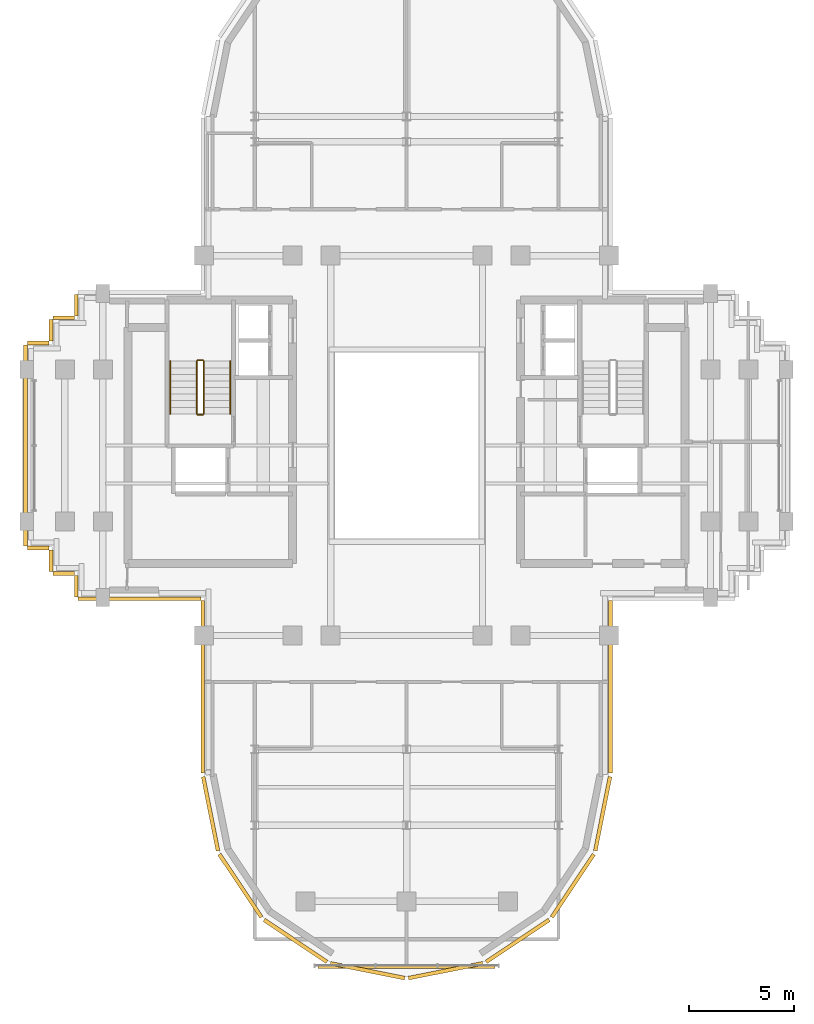
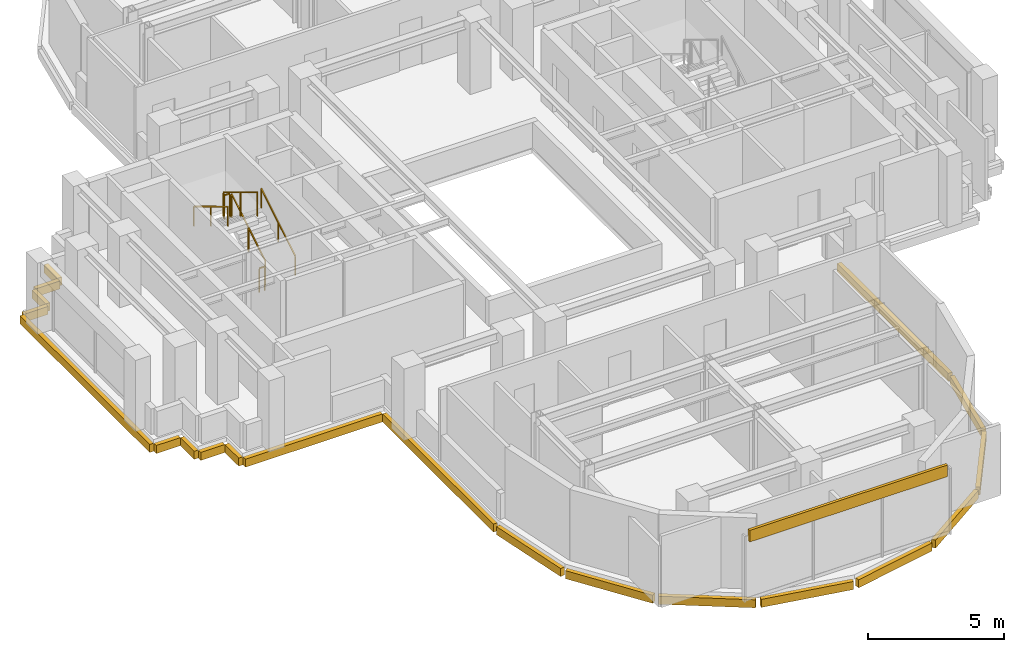
# One storey, part 9 of 11: 21 coverings, 6 railings.
"""IFC4 building model written with IfcOpenShell, lengths in metres."""

from ifc_helpers import new_model, si_unit, direction, frame, origin, origin_2d, place, context, subcontext, project, spatial, rectangle, extrude, source, transform, mapped, material, layer, layer_set, type_object, element, save


model = new_model("IFC4")

# Units and contexts
model_context = context("Model", 3, precision=1e-05, world=origin(), true_north=direction((0.0, 1.0)))
body_context = subcontext(model_context, "Body", "Model", "MODEL_VIEW")
ifc_project = project(units=[si_unit("LENGTHUNIT", "METRE"), si_unit("AREAUNIT", "SQUARE_METRE"), si_unit("VOLUMEUNIT", "CUBIC_METRE"), si_unit("PLANEANGLEUNIT", "RADIAN"), si_unit("MASSUNIT", "GRAM", prefix="KILO")], contexts=[model_context])

# Site, building, storey
site_placement = place(None, origin())
site = spatial("IfcSite", under=ifc_project, at=site_placement, CompositionType="ELEMENT")
building_placement = place(site_placement, origin())
building = spatial("IfcBuilding", under=site, at=building_placement, Name="Keilestroom Media Tower", CompositionType="ELEMENT")
storey_placement = place(building_placement, frame((0.0, 0.0, 201.199951171875)))
storey = spatial("IfcBuildingStorey", under=building, at=storey_placement, Name="L55", CompositionType="ELEMENT", Elevation=201.199951171875)

# Railings
ifc_material_1 = material(Name="Brushed Stainless Steel 1.4301", Category="steel")
railing_type_1 = type_object("IfcRailingType", Name="Stair-Pitch-Handrail-920", PredefinedType="HANDRAIL", material=ifc_material_1)
railing_1_placement = place(storey_placement, frame((-8.35009765625, 1.5, 0.18896484375)))
element("IfcRailing", 1, at=railing_1_placement, inside=storey, type_object=railing_type_1, Name="L55 ST-1 stair handrail 1", PredefinedType="HANDRAIL", context=body_context, shape_type="SweptSolid", body=[
    extrude(rectangle(XDim=0.048095703125, YDim=0.048095703125, at=origin_2d()), frame((0.0, 0.0, 0.8759765625), z_axis=(0.0, 0.855470815493, 0.517851024754), x_axis=(-1.0, 0.0, 0.0)), (0.0, 0.0, 1.0), 2.917724609375),
    extrude(rectangle(XDim=0.0419921875, YDim=0.0419921875, at=origin_2d()), origin(), (0.0, 0.0, 1.0), 0.84375),
    extrude(rectangle(XDim=0.0419921875, YDim=0.0419921875, at=origin_2d()), frame((0.0, 1.248046875, 0.75537109375)), (0.0, 0.0, 1.0), 0.84375),
    extrude(rectangle(XDim=0.0419921875, YDim=0.0419921875, at=origin_2d()), frame((0.0, 2.49609375, 1.510986328125)), (0.0, 0.0, 1.0), 0.84375),
])
railing_2_placement = place(storey_placement, frame((-11.2099609375, 3.99609375, 1.888916015625)))
element("IfcRailing", 2, at=railing_2_placement, inside=storey, type_object=railing_type_1, Name="L55 ST-1 stair handrail 2", PredefinedType="HANDRAIL", context=body_context, shape_type="SweptSolid", body=[
    extrude(rectangle(XDim=0.048095703125, YDim=0.048095703125, at=origin_2d()), frame((0.0, 0.0, 0.8759765625), z_axis=(0.0, -0.855433747314, 0.517912255074), x_axis=(1.0, 0.0, 0.0)), (0.0, 0.0, 1.0), 2.91796875),
    extrude(rectangle(XDim=0.0419921875, YDim=0.0419921875, at=origin_2d()), origin(), (0.0, 0.0, 1.0), 0.84375),
    extrude(rectangle(XDim=0.0419921875, YDim=0.0419921875, at=origin_2d()), frame((0.0, -1.248046875, 0.755615234375)), (0.0, 0.0, 1.0), 0.84375),
    extrude(rectangle(XDim=0.0419921875, YDim=0.0419921875, at=origin_2d()), frame((0.0, -2.49609375, 1.51123046875)), (0.0, 0.0, 1.0), 0.84375),
])
ifc_material_2 = material(Name="Painted Steel Balustrade", Category="steel")
railing_type_2 = type_object("IfcRailingType", Name="Stair-Well-And-Landing-Guard-1100", PredefinedType="GUARDRAIL", material=ifc_material_2)
railing_3_placement = place(storey_placement, frame((-9.610107421875, 1.5, 0.18896484375)))
element("IfcRailing", 3, at=railing_3_placement, inside=storey, type_object=railing_type_2, Name="L55 ST-1 stair guard 1", PredefinedType="GUARDRAIL", context=body_context, shape_type="SweptSolid", body=[
    extrude(rectangle(XDim=0.048095703125, YDim=0.048095703125, at=origin_2d()), frame((0.0, 0.0, 1.076171875), z_axis=(0.0, 0.855470815493, 0.517851024754), x_axis=(-1.0, 0.0, 0.0)), (0.0, 0.0, 1.0), 2.917724609375),
    extrude(rectangle(XDim=0.0419921875, YDim=0.0419921875, at=origin_2d()), origin(), (0.0, 0.0, 1.0), 1.0439453125),
    extrude(rectangle(XDim=0.0419921875, YDim=0.0419921875, at=origin_2d()), frame((0.0, 1.248046875, 0.75537109375)), (0.0, 0.0, 1.0), 1.0439453125),
    extrude(rectangle(XDim=0.0419921875, YDim=0.0419921875, at=origin_2d()), frame((0.0, 2.49609375, 1.510986328125)), (0.0, 0.0, 1.0), 1.0439453125),
])
railing_4_placement = place(storey_placement, frame((-9.659912109375, 4.0458984375, 1.699951171875)))
element("IfcRailing", 4, at=railing_4_placement, inside=storey, type_object=railing_type_2, Name="L55 ST-1 stair guard 2", PredefinedType="GUARDRAIL", context=body_context, shape_type="SweptSolid", body=[
    extrude(rectangle(XDim=0.048095703125, YDim=0.048095703125, at=origin_2d()), frame((0.0, 0.0, 1.076171875), z_axis=(-1.0, 0.0, 0.0), x_axis=(0.0, -1.0, 0.0)), (0.0, 0.0, 1.0), 0.239990234375),
    extrude(rectangle(XDim=0.0419921875, YDim=0.0419921875, at=origin_2d()), origin(), (0.0, 0.0, 1.0), 1.0439453125),
    extrude(rectangle(XDim=0.0419921875, YDim=0.0419921875, at=origin_2d()), frame((-0.239990234375, 0.0, 0.0)), (0.0, 0.0, 1.0), 1.0439453125),
])
railing_5_placement = place(storey_placement, frame((-9.949951171875, 3.99609375, 1.888916015625)))
element("IfcRailing", 5, at=railing_5_placement, inside=storey, type_object=railing_type_2, Name="L55 ST-1 stair guard 3", PredefinedType="GUARDRAIL", context=body_context, shape_type="SweptSolid", body=[
    extrude(rectangle(XDim=0.048095703125, YDim=0.048095703125, at=origin_2d()), frame((0.0, 0.0, 1.076171875), z_axis=(0.0, -0.855433747314, 0.517912255074), x_axis=(1.0, 0.0, 0.0)), (0.0, 0.0, 1.0), 2.91796875),
    extrude(rectangle(XDim=0.0419921875, YDim=0.0419921875, at=origin_2d()), origin(), (0.0, 0.0, 1.0), 1.0439453125),
    extrude(rectangle(XDim=0.0419921875, YDim=0.0419921875, at=origin_2d()), frame((0.0, -1.248046875, 0.755615234375)), (0.0, 0.0, 1.0), 1.0439453125),
    extrude(rectangle(XDim=0.0419921875, YDim=0.0419921875, at=origin_2d()), frame((0.0, -2.49609375, 1.51123046875)), (0.0, 0.0, 1.0), 1.0439453125),
])
railing_6_placement = place(storey_placement, frame((-9.659912109375, 1.449951171875, 0.0)))
element("IfcRailing", 6, at=railing_6_placement, inside=storey, type_object=railing_type_2, Name="L55 ST-1 stair guard 4", PredefinedType="GUARDRAIL", context=body_context, shape_type="SweptSolid", body=[
    extrude(rectangle(XDim=0.048095703125, YDim=0.048095703125, at=origin_2d()), frame((0.0, 0.0, 1.076171875), z_axis=(-1.0, 0.0, 0.0), x_axis=(0.0, -1.0, 0.0)), (0.0, 0.0, 1.0), 0.239990234375),
    extrude(rectangle(XDim=0.0419921875, YDim=0.0419921875, at=origin_2d()), origin(), (0.0, 0.0, 1.0), 1.0439453125),
    extrude(rectangle(XDim=0.0419921875, YDim=0.0419921875, at=origin_2d()), frame((-0.239990234375, 0.0, 0.0)), (0.0, 0.0, 1.0), 1.0439453125),
])

# Coverings
ifc_material_3 = material(Name="Precast concrete C40/50", Category="concrete")
ifc_layer = layer(ifc_material_3, 0.1201171875)
ifc_layer_set = layer_set([ifc_layer], Name="Precast concrete C40/50")
covering_type = type_object("IfcCoveringType", Name="Exterior-Precast-Spandrel-Cladding-Panel-120", PredefinedType="CLADDING", material=ifc_layer_set)
shared_shape_1 = source(origin(), body_context, "Body", "SweptSolid", [
    extrude(rectangle(XDim=8.39990234375, YDim=0.1201171875, at=origin_2d()), origin(), (0.0, 0.0, 1.0), 0.52001953125),
])
covering_1_placement = place(storey_placement, frame((0.0, -24.719970703125, 2.68994140625), z_axis=(0.0, 0.0, 1.0), x_axis=(1.0, 0.0, 0.0)))
element("IfcCovering", 7, at=covering_1_placement, inside=storey, type_object=covering_type, Name="L55 Precast Spandrel Cladding S", PredefinedType="CLADDING", context=body_context, shape_type="MappedRepresentation", body=[
    mapped(shared_shape_1, transform((0.0, 0.0, 0.0), x_axis=(1.0, 0.0, 0.0), y_axis=(0.0, 1.0, 0.0), z_axis=(0.0, 0.0, 1.0), scale=1.0)),
])
shared_shape_2 = source(origin(), body_context, "Body", "SweptSolid", [
    extrude(rectangle(XDim=1.02001953125, YDim=0.179931640625, at=origin_2d()), origin(), (0.0, 0.0, 1.0), 0.360107421875),
])
for number, where, z_axis, x_axis, name in (
    (8, (-15.659912109375, -6.659912109375, -0.5400390625), (0.0, 0.0, 1.0), (0.0, 1.0, 0.0), "L55 Precast Slab-Edge Fascia Cornice 17"),
    (9, (-16.260009765625, -6.06005859375, -0.5400390625), (0.0, 0.0, 1.0), (-1.0, 0.0, 0.0), "L55 Precast Slab-Edge Fascia Cornice 18"),
    (10, (-16.860107421875, -5.4599609375, -0.5400390625), (0.0, 0.0, 1.0), (0.0, 1.0, 0.0), "L55 Precast Slab-Edge Fascia Cornice 19"),
    (11, (-17.4599609375, -4.860107421875, -0.5400390625), (0.0, 0.0, 1.0), (-1.0, 0.0, 0.0), "L55 Precast Slab-Edge Fascia Cornice 20"),
    (12, (-17.4599609375, 4.860107421875, -0.5400390625), (0.0, 0.0, 1.0), (1.0, 0.0, 0.0), "L55 Precast Slab-Edge Fascia Cornice 22"),
    (13, (-16.860107421875, 5.4599609375, -0.5400390625), (0.0, 0.0, 1.0), (0.0, 1.0, 0.0), "L55 Precast Slab-Edge Fascia Cornice 23"),
    (14, (-16.260009765625, 6.06005859375, -0.5400390625), (0.0, 0.0, 1.0), (1.0, 0.0, 0.0), "L55 Precast Slab-Edge Fascia Cornice 24"),
    (15, (-15.659912109375, 6.659912109375, -0.5400390625), (0.0, 0.0, 1.0), (0.0, 1.0, 0.0), "L55 Precast Slab-Edge Fascia Cornice 25"),
):
    element("IfcCovering", number, at=place(storey_placement, frame(where, z_axis=z_axis, x_axis=x_axis)), inside=storey, type_object=covering_type, Name=name, PredefinedType="CLADDING", context=body_context, shape_type="MappedRepresentation", body=[
        mapped(shared_shape_2, transform((0.0, 0.0, 0.0), x_axis=(1.0, 0.0, 0.0), y_axis=(0.0, 1.0, 0.0), z_axis=(0.0, 0.0, 1.0), scale=1.0)),
    ])
shared_shape_3 = source(origin(), body_context, "Body", "SweptSolid", [
    extrude(rectangle(XDim=8.166015625, YDim=0.179931640625, at=origin_2d()), origin(), (0.0, 0.0, 1.0), 0.360107421875),
])
for number, where, z_axis, x_axis, name in (
    (16, (9.659912109375, -11.43310546875, -0.5400390625), (0.0, 0.0, 1.0), (0.0, -1.0, 0.0), "L55 Precast Slab-Edge Fascia Cornice 06"),
    (17, (-9.659912109375, -11.43310546875, -0.5400390625), (0.0, 0.0, 1.0), (0.0, 1.0, 0.0), "L55 Precast Slab-Edge Fascia Cornice 15"),
):
    element("IfcCovering", number, at=place(storey_placement, frame(where, z_axis=z_axis, x_axis=x_axis)), inside=storey, type_object=covering_type, Name=name, PredefinedType="CLADDING", context=body_context, shape_type="MappedRepresentation", body=[
        mapped(shared_shape_3, transform((0.0, 0.0, 0.0), x_axis=(1.0, 0.0, 0.0), y_axis=(0.0, 1.0, 0.0), z_axis=(0.0, 0.0, 1.0), scale=1.0)),
    ])
shared_shape_4 = source(origin(), body_context, "Body", "SweptSolid", [
    extrude(rectangle(XDim=3.58349609375, YDim=0.179931640625, at=origin_2d()), origin(), (0.0, 0.0, 1.0), 0.360107421875),
])
for number, where, z_axis, x_axis, name in (
    (18, (9.29296875, -17.45166015625, -0.5400390625), (0.0, 0.0, 1.0), (-0.195098880975, -0.980783577882, 0.0), "L55 Precast Slab-Edge Fascia Cornice 07"),
    (19, (-9.29296875, -17.45166015625, -0.5400390625), (0.0, 0.0, 1.0), (-0.195098880975, 0.980783577882, 0.0), "L55 Precast Slab-Edge Fascia Cornice 14"),
):
    element("IfcCovering", number, at=place(storey_placement, frame(where, z_axis=z_axis, x_axis=x_axis)), inside=storey, type_object=covering_type, Name=name, PredefinedType="CLADDING", context=body_context, shape_type="MappedRepresentation", body=[
        mapped(shared_shape_4, transform((0.0, 0.0, 0.0), x_axis=(1.0, 0.0, 0.0), y_axis=(0.0, 1.0, 0.0), z_axis=(0.0, 0.0, 1.0), scale=1.0)),
    ])
shared_shape_5 = source(origin(), body_context, "Body", "SweptSolid", [
    extrude(rectangle(XDim=3.589599609375, YDim=0.179931640625, at=origin_2d()), origin(), (0.0, 0.0, 1.0), 0.360107421875),
])
for number, where, z_axis, x_axis, name in (
    (20, (7.878662109375, -20.8642578125, -0.5400390625), (0.0, 0.0, 1.0), (-0.555574586577, -0.831466703332, 0.0), "L55 Precast Slab-Edge Fascia Cornice 08"),
    (21, (5.264404296875, -23.478515625, -0.5400390625), (0.0, 0.0, 1.0), (-0.831466703332, -0.555574586577, 0.0), "L55 Precast Slab-Edge Fascia Cornice 09"),
    (22, (1.8486328125, -24.893310546875, -0.5400390625), (0.0, 0.0, 1.0), (-0.980783577882, -0.195098880975, 0.0), "L55 Precast Slab-Edge Fascia Cornice 10"),
    (23, (-1.8486328125, -24.893310546875, -0.5400390625), (0.0, 0.0, 1.0), (-0.980783577882, 0.195098880975, 0.0), "L55 Precast Slab-Edge Fascia Cornice 11"),
    (24, (-5.264404296875, -23.478515625, -0.5400390625), (0.0, 0.0, 1.0), (-0.831466703332, 0.555574586577, 0.0), "L55 Precast Slab-Edge Fascia Cornice 12"),
    (25, (-7.878662109375, -20.8642578125, -0.5400390625), (0.0, 0.0, 1.0), (-0.555574586577, 0.831466703332, 0.0), "L55 Precast Slab-Edge Fascia Cornice 13"),
):
    element("IfcCovering", number, at=place(storey_placement, frame(where, z_axis=z_axis, x_axis=x_axis)), inside=storey, type_object=covering_type, Name=name, PredefinedType="CLADDING", context=body_context, shape_type="MappedRepresentation", body=[
        mapped(shared_shape_5, transform((0.0, 0.0, 0.0), x_axis=(1.0, 0.0, 0.0), y_axis=(0.0, 1.0, 0.0), z_axis=(0.0, 0.0, 1.0), scale=1.0)),
    ])
shared_shape_6 = source(origin(), body_context, "Body", "SweptSolid", [
    extrude(rectangle(XDim=9.5400390625, YDim=0.179931640625, at=origin_2d()), origin(), (0.0, 0.0, 1.0), 0.360107421875),
])
covering_2_placement = place(storey_placement, frame((-18.06005859375, 0.0, -0.5400390625), z_axis=(0.0, 0.0, 1.0), x_axis=(0.0, 1.0, 0.0)))
element("IfcCovering", 26, at=covering_2_placement, inside=storey, type_object=covering_type, Name="L55 Precast Slab-Edge Fascia Cornice 21", PredefinedType="CLADDING", context=body_context, shape_type="MappedRepresentation", body=[
    mapped(shared_shape_6, transform((0.0, 0.0, 0.0), x_axis=(1.0, 0.0, 0.0), y_axis=(0.0, 1.0, 0.0), z_axis=(0.0, 0.0, 1.0), scale=1.0)),
])
shared_shape_7 = source(origin(), body_context, "Body", "SweptSolid", [
    extrude(rectangle(XDim=5.820068359375, YDim=0.179931640625, at=origin_2d()), origin(), (0.0, 0.0, 1.0), 0.360107421875),
])
covering_3_placement = place(storey_placement, frame((-12.659912109375, -7.260009765625, -0.5400390625), z_axis=(0.0, 0.0, 1.0), x_axis=(-1.0, 0.0, 0.0)))
element("IfcCovering", 27, at=covering_3_placement, inside=storey, type_object=covering_type, Name="L55 Precast Slab-Edge Fascia Cornice 16", PredefinedType="CLADDING", context=body_context, shape_type="MappedRepresentation", body=[
    mapped(shared_shape_7, transform((0.0, 0.0, 0.0), x_axis=(1.0, 0.0, 0.0), y_axis=(0.0, 1.0, 0.0), z_axis=(0.0, 0.0, 1.0), scale=1.0)),
])

save(model, "model.ifc")
